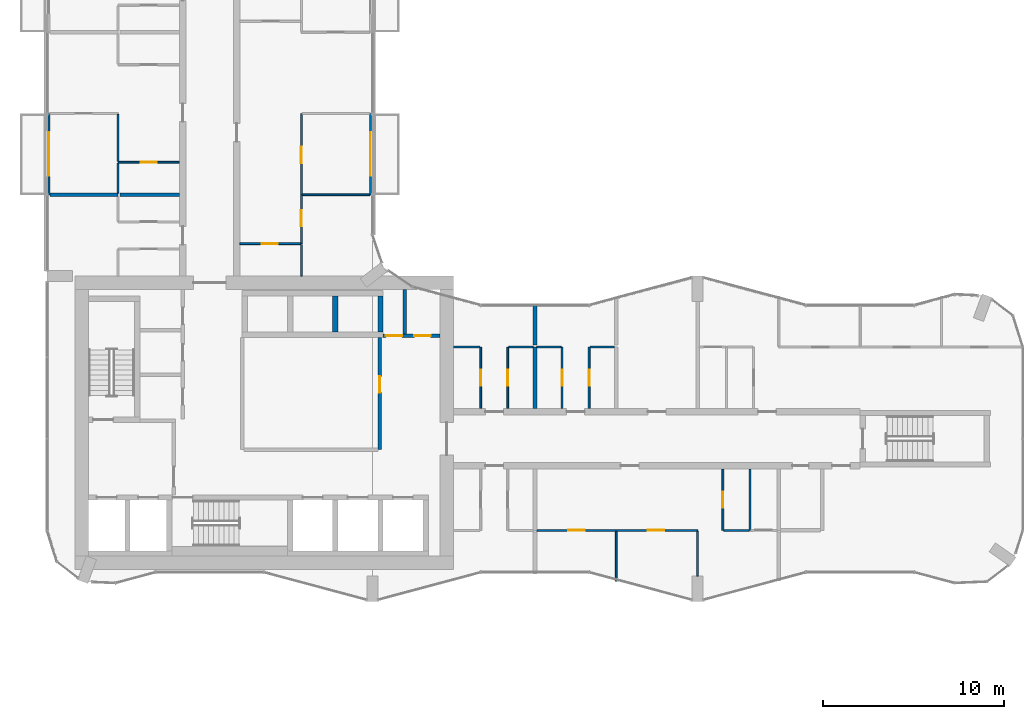
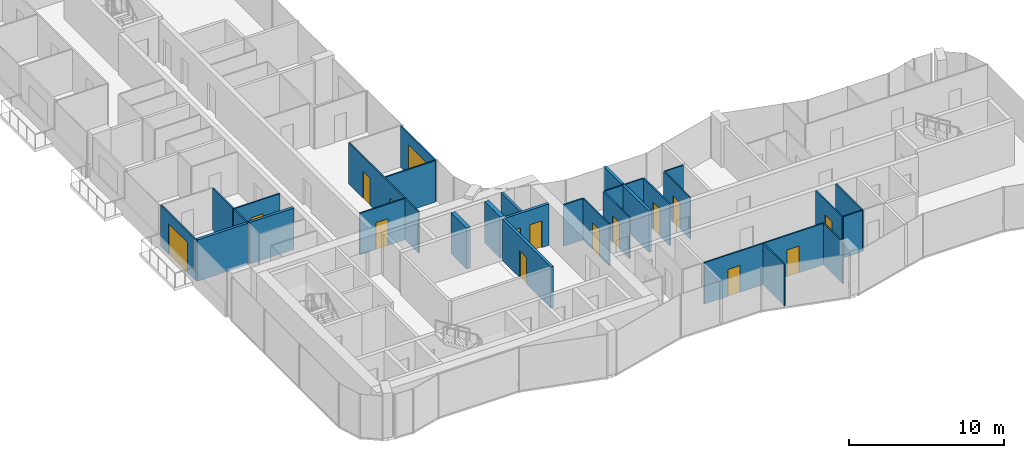
# One storey, part 14 of 23: 32 walls, 16 doors, 16 openings.
"""IFC4 building model written with IfcOpenShell, lengths in metres."""

from ifc_helpers import new_model, si_unit, direction, frame, frame_2d, origin, place, context, subcontext, project, spatial, rectangle, extrude, material, layer, layer_set, type_object, element, fill, save


model = new_model("IFC4")

# Units and contexts
model_context = context("Model", 3, precision=1e-05, world=origin(), true_north=direction((0.0, 1.0)))
body_context = subcontext(model_context, "Body", "Model", "MODEL_VIEW")
ifc_project = project(units=[si_unit("LENGTHUNIT", "METRE"), si_unit("AREAUNIT", "SQUARE_METRE"), si_unit("VOLUMEUNIT", "CUBIC_METRE"), si_unit("PLANEANGLEUNIT", "RADIAN"), si_unit("MASSUNIT", "GRAM", prefix="KILO")], contexts=[model_context])

# Site, building, storey
site_placement = place(None, origin())
site = spatial("IfcSite", under=ifc_project, at=site_placement, CompositionType="ELEMENT")
building_placement = place(site_placement, origin())
building = spatial("IfcBuilding", under=site, at=building_placement, Name="Plateau Cross Towers", CompositionType="ELEMENT")
storey_placement = place(building_placement, frame((0.0, 0.0, 37.300048828125)))
storey = spatial("IfcBuildingStorey", under=building, at=storey_placement, Name="L08", CompositionType="ELEMENT", Elevation=37.300048828125)

# Wall, opening, door
ifc_material_1 = material(Name="Aluminium framed glazing", Category="aluminium")
ifc_layer_1 = layer(ifc_material_1, 0.10009765625)
ifc_layer_set_1 = layer_set([ifc_layer_1], Name="Aluminium framed glazing")
wall_type_1 = type_object("IfcWallType", Name="Balcony screen wall 100", PredefinedType="STANDARD", material=ifc_layer_set_1)
wall_1_placement = place(storey_placement, frame((0.10009765625, 22.5, 0.0), z_axis=(0.0, 0.0, 1.0), x_axis=(0.0, 1.0, 0.0)))
wall_1 = element("IfcWall", 1, at=wall_1_placement, inside=storey, type_object=wall_type_1, Name="Balcony screen wall A-BAL-L08-01", PredefinedType="STANDARD", context=body_context, shape_type="SweptSolid", body=[
    extrude(rectangle(XDim=4.5, YDim=0.10009765625, at=frame_2d((2.25, 0.0))), origin(), (0.0, 0.0, 1.0), 3.25),
])
opening_1_placement = place(wall_1_placement, frame((1.050048828125, 0.0, 0.0)))
opening_1 = element("IfcOpeningElement", 2, at=opening_1_placement, cuts=wall_1, Name="Opening D-B24", PredefinedType="OPENING", context=body_context, shape_type="SweptSolid", body=[
    extrude(rectangle(XDim=2.39990234375, YDim=2.39990234375, at=frame_2d((1.199951171875, 1.199951171875))), frame((0.0, 0.06005859375, 0.0), z_axis=(0.0, -1.0, 0.0), x_axis=(1.0, 0.0, 0.0)), (0.0, 0.0, 1.0), 0.1201171875),
])
ifc_material_2 = material(Name="Aluminium frame, double glazing", Category="aluminium")
door_type_1 = type_object("IfcDoorType", Name="Balcony sliding door 2400", OperationType="NOTDEFINED", PredefinedType="DOOR", material=ifc_material_2)
door_1_placement = place(opening_1_placement, origin())
door_1 = element("IfcDoor", 3, at=door_1_placement, inside=storey, type_object=door_type_1, Name="Balcony door A-BAL-L08-01", OperationType="SINGLE_SWING_LEFT", OverallHeight=2.39990234375, OverallWidth=2.39990234375, PredefinedType="DOOR", context=body_context, shape_type="SweptSolid", body=[
    extrude(rectangle(XDim=2.39990234375, YDim=2.39990234375, at=frame_2d((1.199951171875, 1.199951171875))), frame((0.0, 0.02490234375, 0.0), z_axis=(0.0, -1.0, 0.0), x_axis=(1.0, 0.0, 0.0)), (0.0, 0.0, 1.0), 0.050048828125),
])
fill(opening_1, door_1)

wall_2_placement = place(storey_placement, frame((17.89990234375, 27.0, 0.0), z_axis=(0.0, 0.0, 1.0), x_axis=(0.0, -1.0, 0.0)))
wall_2 = element("IfcWall", 4, at=wall_2_placement, inside=storey, type_object=wall_type_1, Name="Balcony screen wall A-BAL-L08-04", PredefinedType="STANDARD", context=body_context, shape_type="SweptSolid", body=[
    extrude(rectangle(XDim=4.5, YDim=0.10009765625, at=frame_2d((2.25, 0.0))), origin(), (0.0, 0.0, 1.0), 3.25),
])
opening_2_placement = place(wall_2_placement, frame((1.050048828125, 0.0, 0.0)))
opening_2 = element("IfcOpeningElement", 5, at=opening_2_placement, cuts=wall_2, Name="Opening D-B24", PredefinedType="OPENING", context=body_context, shape_type="SweptSolid", body=[
    extrude(rectangle(XDim=2.39990234375, YDim=2.39990234375, at=frame_2d((1.199951171875, 1.199951171875))), frame((0.0, 0.06005859375, 0.0), z_axis=(0.0, -1.0, 0.0), x_axis=(1.0, 0.0, 0.0)), (0.0, 0.0, 1.0), 0.1201171875),
])
door_2_placement = place(opening_2_placement, origin())
door_2 = element("IfcDoor", 6, at=door_2_placement, inside=storey, type_object=door_type_1, Name="Balcony door A-BAL-L08-04", OperationType="SINGLE_SWING_LEFT", OverallHeight=2.39990234375, OverallWidth=2.39990234375, PredefinedType="DOOR", context=body_context, shape_type="SweptSolid", body=[
    extrude(rectangle(XDim=2.39990234375, YDim=2.39990234375, at=frame_2d((1.199951171875, 1.199951171875))), frame((0.0, 0.02490234375, 0.0), z_axis=(0.0, -1.0, 0.0), x_axis=(1.0, 0.0, 0.0)), (0.0, 0.0, 1.0), 0.050048828125),
])
fill(opening_2, door_2)

ifc_material_3 = material(Name="Concrete block, plastered both sides", Category="concrete")
ifc_layer_2 = layer(ifc_material_3, 0.199951171875)
ifc_layer_set_2 = layer_set([ifc_layer_2], Name="Concrete block, plastered both sides")
wall_type_2 = type_object("IfcWallType", Name="Core partition 200", PredefinedType="PARTITIONING", material=ifc_layer_set_2)
wall_3_placement = place(storey_placement, frame((18.39990234375, 8.39990234375, 0.0), z_axis=(0.0, 0.0, 1.0), x_axis=(0.0, 1.0, 0.0)))
wall_3 = element("IfcWall", 7, at=wall_3_placement, inside=storey, type_object=wall_type_2, Name="Core partition", PredefinedType="PARTITIONING", context=body_context, shape_type="SweptSolid", body=[
    extrude(rectangle(XDim=6.2001953125, YDim=0.199951171875, at=frame_2d((3.10009765625, 0.0))), origin(), (0.0, 0.0, 1.0), 3.25),
])
opening_3_placement = place(wall_3_placement, frame((3.14990234375, 0.0, 0.0)))
opening_3 = element("IfcOpeningElement", 8, at=opening_3_placement, cuts=wall_3, Name="Opening RD1", PredefinedType="OPENING", context=body_context, shape_type="SweptSolid", body=[
    extrude(rectangle(XDim=0.89990234375, YDim=2.10009765625, at=frame_2d((0.449951171875, 1.050048828125))), frame((0.0, 0.10986328125, 0.0), z_axis=(0.0, -1.0, 0.0), x_axis=(1.0, 0.0, 0.0)), (0.0, 0.0, 1.0), 0.219970703125),
])
ifc_material_4 = material(Name="Timber, fire-resisting leaf", Category="wood")
door_type_2 = type_object("IfcDoorType", Name="Core service door 900", OperationType="NOTDEFINED", PredefinedType="DOOR", material=ifc_material_4)
door_3_placement = place(opening_3_placement, origin())
door_3 = element("IfcDoor", 9, at=door_3_placement, inside=storey, type_object=door_type_2, Name="Core service door RD1", OperationType="SINGLE_SWING_LEFT", OverallHeight=2.10009765625, OverallWidth=0.89990234375, PredefinedType="DOOR", context=body_context, shape_type="SweptSolid", body=[
    extrude(rectangle(XDim=0.89990234375, YDim=2.10009765625, at=frame_2d((0.449951171875, 1.050048828125))), frame((0.0, 0.02490234375, 0.0), z_axis=(0.0, -1.0, 0.0), x_axis=(1.0, 0.0, 0.0)), (0.0, 0.0, 1.0), 0.050048828125),
])
fill(opening_3, door_3)

# Wall, openings, doors
wall_4_placement = place(storey_placement, frame((18.60009765625, 14.699951171875, 0.0), z_axis=(0.0, 0.0, 1.0), x_axis=(1.0, 0.0, 0.0)))
wall_4 = element("IfcWall", 10, at=wall_4_placement, inside=storey, type_object=wall_type_2, Name="Core partition", PredefinedType="PARTITIONING", context=body_context, shape_type="SweptSolid", body=[
    extrude(rectangle(XDim=3.14990234375, YDim=0.199951171875, at=frame_2d((1.574951171875, 0.0))), origin(), (0.0, 0.0, 1.0), 3.25),
])
opening_4_placement = place(wall_4_placement, frame((0.14990234375, 0.0, 0.0)))
opening_4 = element("IfcOpeningElement", 11, at=opening_4_placement, cuts=wall_4, Name="Opening RD2", PredefinedType="OPENING", context=body_context, shape_type="SweptSolid", body=[
    extrude(rectangle(XDim=0.89990234375, YDim=2.10009765625, at=frame_2d((0.449951171875, 1.050048828125))), frame((0.0, 0.10986328125, 0.0), z_axis=(0.0, -1.0, 0.0), x_axis=(1.0, 0.0, 0.0)), (0.0, 0.0, 1.0), 0.219970703125),
])
opening_5_placement = place(wall_4_placement, frame((1.72509765625, 0.0, 0.0)))
opening_5 = element("IfcOpeningElement", 12, at=opening_5_placement, cuts=wall_4, Name="Opening RD2", PredefinedType="OPENING", context=body_context, shape_type="SweptSolid", body=[
    extrude(rectangle(XDim=0.89990234375, YDim=2.10009765625, at=frame_2d((0.449951171875, 1.050048828125))), frame((0.0, 0.10986328125, 0.0), z_axis=(0.0, -1.0, 0.0), x_axis=(1.0, 0.0, 0.0)), (0.0, 0.0, 1.0), 0.219970703125),
])
ifc_material_5 = material(Name="Steel, fire-resisting leaf", Category="steel")
door_type_3 = type_object("IfcDoorType", Name="Core riser door 900", OperationType="NOTDEFINED", PredefinedType="DOOR", material=ifc_material_5)
door_4_placement = place(opening_4_placement, origin())
door_4 = element("IfcDoor", 13, at=door_4_placement, inside=storey, type_object=door_type_3, Name="Core riser door RD2", OperationType="SINGLE_SWING_LEFT", OverallHeight=2.10009765625, OverallWidth=0.89990234375, PredefinedType="DOOR", context=body_context, shape_type="SweptSolid", body=[
    extrude(rectangle(XDim=0.89990234375, YDim=2.10009765625, at=frame_2d((0.449951171875, 1.050048828125))), frame((0.0, 0.02490234375, 0.0), z_axis=(0.0, -1.0, 0.0), x_axis=(1.0, 0.0, 0.0)), (0.0, 0.0, 1.0), 0.050048828125),
])
fill(opening_4, door_4)
door_5_placement = place(opening_5_placement, origin())
door_5 = element("IfcDoor", 14, at=door_5_placement, inside=storey, type_object=door_type_3, Name="Core riser door RD2", OperationType="SINGLE_SWING_LEFT", OverallHeight=2.10009765625, OverallWidth=0.89990234375, PredefinedType="DOOR", context=body_context, shape_type="SweptSolid", body=[
    extrude(rectangle(XDim=0.89990234375, YDim=2.10009765625, at=frame_2d((0.449951171875, 1.050048828125))), frame((0.0, 0.02490234375, 0.0), z_axis=(0.0, -1.0, 0.0), x_axis=(1.0, 0.0, 0.0)), (0.0, 0.0, 1.0), 0.050048828125),
])
fill(opening_5, door_5)

# Walls
wall_5_placement = place(storey_placement, frame((19.800048828125, 14.800048828125, 0.0), z_axis=(0.0, 0.0, 1.0), x_axis=(0.0, 1.0, 0.0)))
element("IfcWall", 15, at=wall_5_placement, inside=storey, type_object=wall_type_2, Name="Core partition", PredefinedType="PARTITIONING", context=body_context, shape_type="SweptSolid", body=[
    extrude(rectangle(XDim=2.449951171875, YDim=0.199951171875, at=frame_2d((1.22509765625, 0.0))), origin(), (0.0, 0.0, 1.0), 3.25),
])
ifc_material_6 = material(Name="Concrete C60/75", Category="concrete")
ifc_layer_3 = layer(ifc_material_6, 0.300048828125)
ifc_layer_set_3 = layer_set([ifc_layer_3], Name="Concrete C60/75")
wall_type_3 = type_object("IfcWallType", Name="Core shaft wall 300", PredefinedType="SHEAR", material=ifc_layer_set_3)
for number, where, z_axis, x_axis, name in (
    (16, (15.949951171875, 14.89990234375, 0.0), (0.0, 0.0, 1.0), (0.0, 1.0, 0.0), "A-nb-v3@L08"),
    (17, (18.449951171875, 14.89990234375, 0.0), (0.0, 0.0, 1.0), (0.0, 1.0, 0.0), "A-nb-v4@L08"),
):
    element("IfcWall", number, at=place(storey_placement, frame(where, z_axis=z_axis, x_axis=x_axis)), inside=storey, type_object=wall_type_3, Name=name, PredefinedType="SHEAR", context=body_context, shape_type="SweptSolid", body=[
        extrude(rectangle(XDim=2.0, YDim=0.300048828125, at=frame_2d((1.0, 0.0))), origin(), (0.0, 0.0, 1.0), 3.25),
    ])

# Wall, openings, doors
ifc_material_7 = material(Name="Gypsum board on steel studs", Category="steel")
ifc_layer_4 = layer(ifc_material_7, 0.10009765625)
ifc_layer_set_4 = layer_set([ifc_layer_4], Name="Gypsum board on steel studs")
wall_type_4 = type_object("IfcWallType", Name="Flat partition 100", PredefinedType="PARTITIONING", material=ifc_layer_set_4)
wall_6_placement = place(storey_placement, frame((36.0, 3.925048828125, 0.0), z_axis=(0.0, 0.0, 1.0), x_axis=(-1.0, 0.0, 0.0)))
wall_6 = element("IfcWall", 18, at=wall_6_placement, inside=storey, type_object=wall_type_4, Name="Partition wall", PredefinedType="PARTITIONING", context=body_context, shape_type="SweptSolid", body=[
    extrude(rectangle(XDim=8.89990234375, YDim=0.10009765625, at=frame_2d((4.449951171875, 0.0))), origin(), (0.0, 0.0, 1.0), 3.25),
])
opening_6_placement = place(wall_6_placement, frame((6.25, 0.0, 0.0)))
opening_6 = element("IfcOpeningElement", 19, at=opening_6_placement, cuts=wall_6, Name="Opening 08-21", PredefinedType="OPENING", context=body_context, shape_type="SweptSolid", body=[
    extrude(rectangle(XDim=0.89990234375, YDim=2.10009765625, at=frame_2d((0.449951171875, 1.050048828125))), frame((0.0, 0.06005859375, 0.0), z_axis=(0.0, -1.0, 0.0), x_axis=(1.0, 0.0, 0.0)), (0.0, 0.0, 1.0), 0.1201171875),
])
opening_7_placement = place(wall_6_placement, frame((1.85009765625, 0.0, 0.0)))
opening_7 = element("IfcOpeningElement", 20, at=opening_7_placement, cuts=wall_6, Name="Opening 08-22", PredefinedType="OPENING", context=body_context, shape_type="SweptSolid", body=[
    extrude(rectangle(XDim=0.89990234375, YDim=2.10009765625, at=frame_2d((0.449951171875, 1.050048828125))), frame((0.0, 0.06005859375, 0.0), z_axis=(0.0, -1.0, 0.0), x_axis=(1.0, 0.0, 0.0)), (0.0, 0.0, 1.0), 0.1201171875),
])
ifc_material_8 = material(Name="Timber leaf", Category="wood")
door_type_4 = type_object("IfcDoorType", Name="Flat room door 900", OperationType="NOTDEFINED", PredefinedType="DOOR", material=ifc_material_8)
door_6_placement = place(opening_6_placement, origin())
door_6 = element("IfcDoor", 21, at=door_6_placement, inside=storey, type_object=door_type_4, Name="Door 08-21", OperationType="SINGLE_SWING_RIGHT", OverallHeight=2.10009765625, OverallWidth=0.89990234375, PredefinedType="DOOR", context=body_context, shape_type="SweptSolid", body=[
    extrude(rectangle(XDim=0.89990234375, YDim=2.10009765625, at=frame_2d((0.449951171875, 1.050048828125))), frame((0.0, 0.02490234375, 0.0), z_axis=(0.0, -1.0, 0.0), x_axis=(1.0, 0.0, 0.0)), (0.0, 0.0, 1.0), 0.050048828125),
])
fill(opening_6, door_6)
door_7_placement = place(opening_7_placement, origin())
door_7 = element("IfcDoor", 22, at=door_7_placement, inside=storey, type_object=door_type_4, Name="Door 08-22", OperationType="SINGLE_SWING_LEFT", OverallHeight=2.10009765625, OverallWidth=0.89990234375, PredefinedType="DOOR", context=body_context, shape_type="SweptSolid", body=[
    extrude(rectangle(XDim=0.89990234375, YDim=2.10009765625, at=frame_2d((0.449951171875, 1.050048828125))), frame((0.0, 0.02490234375, 0.0), z_axis=(0.0, -1.0, 0.0), x_axis=(1.0, 0.0, 0.0)), (0.0, 0.0, 1.0), 0.050048828125),
])
fill(opening_7, door_7)

# Walls
wall_7_placement = place(storey_placement, frame((37.449951171875, 3.925048828125, 0.0), z_axis=(0.0, 0.0, 1.0), x_axis=(1.0, 0.0, 0.0)))
element("IfcWall", 23, at=wall_7_placement, inside=storey, type_object=wall_type_4, Name="Partition wall", PredefinedType="PARTITIONING", context=body_context, shape_type="SweptSolid", body=[
    extrude(rectangle(XDim=1.400146484375, YDim=0.10009765625, at=frame_2d((0.7001953125, 0.0))), origin(), (0.0, 0.0, 1.0), 3.25),
])
wall_8_placement = place(storey_placement, frame((23.949951171875, 14.074951171875, 0.0), z_axis=(0.0, 0.0, 1.0), x_axis=(-1.0, 0.0, 0.0)))
element("IfcWall", 24, at=wall_8_placement, inside=storey, type_object=wall_type_4, Name="Partition wall", PredefinedType="PARTITIONING", context=body_context, shape_type="SweptSolid", body=[
    extrude(rectangle(XDim=1.449951171875, YDim=0.10009765625, at=frame_2d((0.72509765625, 0.0))), origin(), (0.0, 0.0, 1.0), 3.25),
])
for number, where, z_axis, x_axis, name in (
    (25, (26.89990234375, 14.074951171875, 0.0), (0.0, 0.0, 1.0), (-1.0, 0.0, 0.0), "Partition wall"),
    (26, (28.449951171875, 14.074951171875, 0.0), (0.0, 0.0, 1.0), (-1.0, 0.0, 0.0), "Partition wall"),
    (27, (31.39990234375, 14.074951171875, 0.0), (0.0, 0.0, 1.0), (-1.0, 0.0, 0.0), "Partition wall"),
):
    element("IfcWall", number, at=place(storey_placement, frame(where, z_axis=z_axis, x_axis=x_axis)), inside=storey, type_object=wall_type_4, Name=name, PredefinedType="PARTITIONING", context=body_context, shape_type="SweptSolid", body=[
        extrude(rectangle(XDim=1.349853515625, YDim=0.10009765625, at=frame_2d((0.6748046875, 0.0))), origin(), (0.0, 0.0, 1.0), 3.25),
    ])

# Wall, opening, door
wall_9_placement = place(storey_placement, frame((14.02490234375, 19.800048828125, 0.0), z_axis=(0.0, 0.0, 1.0), x_axis=(-1.0, 0.0, 0.0)))
wall_9 = element("IfcWall", 28, at=wall_9_placement, inside=storey, type_object=wall_type_4, Name="Partition wall", PredefinedType="PARTITIONING", context=body_context, shape_type="SweptSolid", body=[
    extrude(rectangle(XDim=3.349853515625, YDim=0.10009765625, at=frame_2d((1.6748046875, 0.0))), origin(), (0.0, 0.0, 1.0), 3.25),
])
opening_8_placement = place(wall_9_placement, frame((1.25, 0.0, 0.0)))
opening_8 = element("IfcOpeningElement", 29, at=opening_8_placement, cuts=wall_9, Name="Opening 08-44", PredefinedType="OPENING", context=body_context, shape_type="SweptSolid", body=[
    extrude(rectangle(XDim=0.89990234375, YDim=2.10009765625, at=frame_2d((0.449951171875, 1.050048828125))), frame((0.0, 0.06005859375, 0.0), z_axis=(0.0, -1.0, 0.0), x_axis=(1.0, 0.0, 0.0)), (0.0, 0.0, 1.0), 0.1201171875),
])
door_8_placement = place(opening_8_placement, origin())
door_8 = element("IfcDoor", 30, at=door_8_placement, inside=storey, type_object=door_type_4, Name="Door 08-44", OperationType="SINGLE_SWING_RIGHT", OverallHeight=2.10009765625, OverallWidth=0.89990234375, PredefinedType="DOOR", context=body_context, shape_type="SweptSolid", body=[
    extrude(rectangle(XDim=0.89990234375, YDim=2.10009765625, at=frame_2d((0.449951171875, 1.050048828125))), frame((0.0, 0.02490234375, 0.0), z_axis=(0.0, -1.0, 0.0), x_axis=(1.0, 0.0, 0.0)), (0.0, 0.0, 1.0), 0.050048828125),
])
fill(opening_8, door_8)

# Wall
wall_10_placement = place(storey_placement, frame((17.85009765625, 22.5, 0.0), z_axis=(0.0, 0.0, 1.0), x_axis=(-1.0, 0.0, 0.0)))
element("IfcWall", 31, at=wall_10_placement, inside=storey, type_object=wall_type_4, Name="Partition wall", PredefinedType="PARTITIONING", context=body_context, shape_type="SweptSolid", body=[
    extrude(rectangle(XDim=3.72509765625, YDim=0.10009765625, at=frame_2d((1.862548828125, 0.0))), origin(), (0.0, 0.0, 1.0), 3.25),
])

# Wall, opening, door
wall_11_placement = place(storey_placement, frame((7.324951171875, 24.300048828125, 0.0), z_axis=(0.0, 0.0, 1.0), x_axis=(-1.0, 0.0, 0.0)))
wall_11 = element("IfcWall", 32, at=wall_11_placement, inside=storey, type_object=wall_type_4, Name="Partition wall", PredefinedType="PARTITIONING", context=body_context, shape_type="SweptSolid", body=[
    extrude(rectangle(XDim=3.39990234375, YDim=0.10009765625, at=frame_2d((1.699951171875, 0.0))), origin(), (0.0, 0.0, 1.0), 3.25),
])
opening_9_placement = place(wall_11_placement, frame((1.25, 0.0, 0.0)))
opening_9 = element("IfcOpeningElement", 33, at=opening_9_placement, cuts=wall_11, Name="Opening 08-34", PredefinedType="OPENING", context=body_context, shape_type="SweptSolid", body=[
    extrude(rectangle(XDim=0.89990234375, YDim=2.10009765625, at=frame_2d((0.449951171875, 1.050048828125))), frame((0.0, 0.06005859375, 0.0), z_axis=(0.0, -1.0, 0.0), x_axis=(1.0, 0.0, 0.0)), (0.0, 0.0, 1.0), 0.1201171875),
])
door_9_placement = place(opening_9_placement, origin())
door_9 = element("IfcDoor", 34, at=door_9_placement, inside=storey, type_object=door_type_4, Name="Door 08-34", OperationType="SINGLE_SWING_LEFT", OverallHeight=2.10009765625, OverallWidth=0.89990234375, PredefinedType="DOOR", context=body_context, shape_type="SweptSolid", body=[
    extrude(rectangle(XDim=0.89990234375, YDim=2.10009765625, at=frame_2d((0.449951171875, 1.050048828125))), frame((0.0, 0.02490234375, 0.0), z_axis=(0.0, -1.0, 0.0), x_axis=(1.0, 0.0, 0.0)), (0.0, 0.0, 1.0), 0.050048828125),
])
fill(opening_9, door_9)

# Walls
wall_12_placement = place(storey_placement, frame((3.925048828125, 24.25, 0.0), z_axis=(0.0, 0.0, 1.0), x_axis=(0.0, -1.0, 0.0)))
element("IfcWall", 35, at=wall_12_placement, inside=storey, type_object=wall_type_4, Name="Partition wall", PredefinedType="PARTITIONING", context=body_context, shape_type="SweptSolid", body=[
    extrude(rectangle(XDim=1.64990234375, YDim=0.10009765625, at=frame_2d((0.824951171875, 0.0))), origin(), (0.0, 0.0, 1.0), 3.25),
])
wall_13_placement = place(storey_placement, frame((3.925048828125, 24.35009765625, 0.0), z_axis=(0.0, 0.0, 1.0), x_axis=(0.0, 1.0, 0.0)))
element("IfcWall", 36, at=wall_13_placement, inside=storey, type_object=wall_type_4, Name="Partition wall", PredefinedType="PARTITIONING", context=body_context, shape_type="SweptSolid", body=[
    extrude(rectangle(XDim=2.599853515625, YDim=0.10009765625, at=frame_2d((1.2998046875, 0.0))), origin(), (0.0, 0.0, 1.0), 3.25),
])

# Wall, openings, doors
wall_14_placement = place(storey_placement, frame((14.074951171875, 27.0, 0.0), z_axis=(0.0, 0.0, 1.0), x_axis=(0.0, -1.0, 0.0)))
wall_14 = element("IfcWall", 37, at=wall_14_placement, inside=storey, type_object=wall_type_4, Name="Partition wall", PredefinedType="PARTITIONING", context=body_context, shape_type="SweptSolid", body=[
    extrude(rectangle(XDim=7.199951171875, YDim=0.10009765625, at=frame_2d((3.60009765625, 0.0))), origin(), (0.0, 0.0, 1.0), 3.25),
])
opening_10_placement = place(wall_14_placement, frame((5.35009765625, 0.0, 0.0)))
opening_10 = element("IfcOpeningElement", 38, at=opening_10_placement, cuts=wall_14, Name="Opening 08-46", PredefinedType="OPENING", context=body_context, shape_type="SweptSolid", body=[
    extrude(rectangle(XDim=0.89990234375, YDim=2.10009765625, at=frame_2d((0.449951171875, 1.050048828125))), frame((0.0, 0.06005859375, 0.0), z_axis=(0.0, -1.0, 0.0), x_axis=(1.0, 0.0, 0.0)), (0.0, 0.0, 1.0), 0.1201171875),
])
opening_11_placement = place(wall_14_placement, frame((1.85009765625, 0.0, 0.0)))
opening_11 = element("IfcOpeningElement", 39, at=opening_11_placement, cuts=wall_14, Name="Opening 08-47", PredefinedType="OPENING", context=body_context, shape_type="SweptSolid", body=[
    extrude(rectangle(XDim=0.89990234375, YDim=2.10009765625, at=frame_2d((0.449951171875, 1.050048828125))), frame((0.0, 0.06005859375, 0.0), z_axis=(0.0, -1.0, 0.0), x_axis=(1.0, 0.0, 0.0)), (0.0, 0.0, 1.0), 0.1201171875),
])
door_10_placement = place(opening_10_placement, origin())
door_10 = element("IfcDoor", 40, at=door_10_placement, inside=storey, type_object=door_type_4, Name="Door 08-46", OperationType="SINGLE_SWING_RIGHT", OverallHeight=2.10009765625, OverallWidth=0.89990234375, PredefinedType="DOOR", context=body_context, shape_type="SweptSolid", body=[
    extrude(rectangle(XDim=0.89990234375, YDim=2.10009765625, at=frame_2d((0.449951171875, 1.050048828125))), frame((0.0, 0.02490234375, 0.0), z_axis=(0.0, -1.0, 0.0), x_axis=(1.0, 0.0, 0.0)), (0.0, 0.0, 1.0), 0.050048828125),
])
fill(opening_10, door_10)
door_11_placement = place(opening_11_placement, origin())
door_11 = element("IfcDoor", 41, at=door_11_placement, inside=storey, type_object=door_type_4, Name="Door 08-47", OperationType="SINGLE_SWING_LEFT", OverallHeight=2.10009765625, OverallWidth=0.89990234375, PredefinedType="DOOR", context=body_context, shape_type="SweptSolid", body=[
    extrude(rectangle(XDim=0.89990234375, YDim=2.10009765625, at=frame_2d((0.449951171875, 1.050048828125))), frame((0.0, 0.02490234375, 0.0), z_axis=(0.0, -1.0, 0.0), x_axis=(1.0, 0.0, 0.0)), (0.0, 0.0, 1.0), 0.050048828125),
])
fill(opening_11, door_11)

# Wall
wall_15_placement = place(storey_placement, frame((14.074951171875, 18.0, 0.0), z_axis=(0.0, 0.0, 1.0), x_axis=(0.0, 1.0, 0.0)))
element("IfcWall", 42, at=wall_15_placement, inside=storey, type_object=wall_type_4, Name="Partition wall", PredefinedType="PARTITIONING", context=body_context, shape_type="SweptSolid", body=[
    extrude(rectangle(XDim=1.75, YDim=0.10009765625, at=frame_2d((0.875, 0.0))), origin(), (0.0, 0.0, 1.0), 3.25),
])

# Wall, opening, door
wall_16_placement = place(storey_placement, frame((24.0, 10.675048828125, 0.0), z_axis=(0.0, 0.0, 1.0), x_axis=(0.0, 1.0, 0.0)))
wall_16 = element("IfcWall", 43, at=wall_16_placement, inside=storey, type_object=wall_type_4, Name="Partition wall", PredefinedType="PARTITIONING", context=body_context, shape_type="SweptSolid", body=[
    extrude(rectangle(XDim=3.39990234375, YDim=0.10009765625, at=frame_2d((1.699951171875, 0.0))), origin(), (0.0, 0.0, 1.0), 3.25),
])
opening_12_placement = place(wall_16_placement, frame((1.25, 0.0, 0.0)))
opening_12 = element("IfcOpeningElement", 44, at=opening_12_placement, cuts=wall_16, Name="Opening 08-23", PredefinedType="OPENING", context=body_context, shape_type="SweptSolid", body=[
    extrude(rectangle(XDim=0.89990234375, YDim=2.10009765625, at=frame_2d((0.449951171875, 1.050048828125))), frame((0.0, 0.06005859375, 0.0), z_axis=(0.0, -1.0, 0.0), x_axis=(1.0, 0.0, 0.0)), (0.0, 0.0, 1.0), 0.1201171875),
])
door_12_placement = place(opening_12_placement, origin())
door_12 = element("IfcDoor", 45, at=door_12_placement, inside=storey, type_object=door_type_4, Name="Door 08-23", OperationType="SINGLE_SWING_RIGHT", OverallHeight=2.10009765625, OverallWidth=0.89990234375, PredefinedType="DOOR", context=body_context, shape_type="SweptSolid", body=[
    extrude(rectangle(XDim=0.89990234375, YDim=2.10009765625, at=frame_2d((0.449951171875, 1.050048828125))), frame((0.0, 0.02490234375, 0.0), z_axis=(0.0, -1.0, 0.0), x_axis=(1.0, 0.0, 0.0)), (0.0, 0.0, 1.0), 0.050048828125),
])
fill(opening_12, door_12)

wall_17_placement = place(storey_placement, frame((25.5, 14.074951171875, 0.0), z_axis=(0.0, 0.0, 1.0), x_axis=(0.0, -1.0, 0.0)))
wall_17 = element("IfcWall", 46, at=wall_17_placement, inside=storey, type_object=wall_type_4, Name="Partition wall", PredefinedType="PARTITIONING", context=body_context, shape_type="SweptSolid", body=[
    extrude(rectangle(XDim=3.39990234375, YDim=0.10009765625, at=frame_2d((1.699951171875, 0.0))), origin(), (0.0, 0.0, 1.0), 3.25),
])
opening_13_placement = place(wall_17_placement, frame((1.25, 0.0, 0.0)))
opening_13 = element("IfcOpeningElement", 47, at=opening_13_placement, cuts=wall_17, Name="Opening 08-24", PredefinedType="OPENING", context=body_context, shape_type="SweptSolid", body=[
    extrude(rectangle(XDim=0.89990234375, YDim=2.10009765625, at=frame_2d((0.449951171875, 1.050048828125))), frame((0.0, 0.06005859375, 0.0), z_axis=(0.0, -1.0, 0.0), x_axis=(1.0, 0.0, 0.0)), (0.0, 0.0, 1.0), 0.1201171875),
])
door_13_placement = place(opening_13_placement, origin())
door_13 = element("IfcDoor", 48, at=door_13_placement, inside=storey, type_object=door_type_4, Name="Door 08-24", OperationType="SINGLE_SWING_RIGHT", OverallHeight=2.10009765625, OverallWidth=0.89990234375, PredefinedType="DOOR", context=body_context, shape_type="SweptSolid", body=[
    extrude(rectangle(XDim=0.89990234375, YDim=2.10009765625, at=frame_2d((0.449951171875, 1.050048828125))), frame((0.0, 0.02490234375, 0.0), z_axis=(0.0, -1.0, 0.0), x_axis=(1.0, 0.0, 0.0)), (0.0, 0.0, 1.0), 0.050048828125),
])
fill(opening_13, door_13)

wall_18_placement = place(storey_placement, frame((28.5, 10.675048828125, 0.0), z_axis=(0.0, 0.0, 1.0), x_axis=(0.0, 1.0, 0.0)))
wall_18 = element("IfcWall", 49, at=wall_18_placement, inside=storey, type_object=wall_type_4, Name="Partition wall", PredefinedType="PARTITIONING", context=body_context, shape_type="SweptSolid", body=[
    extrude(rectangle(XDim=3.39990234375, YDim=0.10009765625, at=frame_2d((1.699951171875, 0.0))), origin(), (0.0, 0.0, 1.0), 3.25),
])
opening_14_placement = place(wall_18_placement, frame((1.25, 0.0, 0.0)))
opening_14 = element("IfcOpeningElement", 50, at=opening_14_placement, cuts=wall_18, Name="Opening 08-25", PredefinedType="OPENING", context=body_context, shape_type="SweptSolid", body=[
    extrude(rectangle(XDim=0.89990234375, YDim=2.10009765625, at=frame_2d((0.449951171875, 1.050048828125))), frame((0.0, 0.06005859375, 0.0), z_axis=(0.0, -1.0, 0.0), x_axis=(1.0, 0.0, 0.0)), (0.0, 0.0, 1.0), 0.1201171875),
])
door_14_placement = place(opening_14_placement, origin())
door_14 = element("IfcDoor", 51, at=door_14_placement, inside=storey, type_object=door_type_4, Name="Door 08-25", OperationType="SINGLE_SWING_RIGHT", OverallHeight=2.10009765625, OverallWidth=0.89990234375, PredefinedType="DOOR", context=body_context, shape_type="SweptSolid", body=[
    extrude(rectangle(XDim=0.89990234375, YDim=2.10009765625, at=frame_2d((0.449951171875, 1.050048828125))), frame((0.0, 0.02490234375, 0.0), z_axis=(0.0, -1.0, 0.0), x_axis=(1.0, 0.0, 0.0)), (0.0, 0.0, 1.0), 0.050048828125),
])
fill(opening_14, door_14)

wall_19_placement = place(storey_placement, frame((30.0, 14.074951171875, 0.0), z_axis=(0.0, 0.0, 1.0), x_axis=(0.0, -1.0, 0.0)))
wall_19 = element("IfcWall", 52, at=wall_19_placement, inside=storey, type_object=wall_type_4, Name="Partition wall", PredefinedType="PARTITIONING", context=body_context, shape_type="SweptSolid", body=[
    extrude(rectangle(XDim=3.39990234375, YDim=0.10009765625, at=frame_2d((1.699951171875, 0.0))), origin(), (0.0, 0.0, 1.0), 3.25),
])
opening_15_placement = place(wall_19_placement, frame((1.25, 0.0, 0.0)))
opening_15 = element("IfcOpeningElement", 53, at=opening_15_placement, cuts=wall_19, Name="Opening 08-26", PredefinedType="OPENING", context=body_context, shape_type="SweptSolid", body=[
    extrude(rectangle(XDim=0.89990234375, YDim=2.10009765625, at=frame_2d((0.449951171875, 1.050048828125))), frame((0.0, 0.06005859375, 0.0), z_axis=(0.0, -1.0, 0.0), x_axis=(1.0, 0.0, 0.0)), (0.0, 0.0, 1.0), 0.1201171875),
])
door_15_placement = place(opening_15_placement, origin())
door_15 = element("IfcDoor", 54, at=door_15_placement, inside=storey, type_object=door_type_4, Name="Door 08-26", OperationType="SINGLE_SWING_RIGHT", OverallHeight=2.10009765625, OverallWidth=0.89990234375, PredefinedType="DOOR", context=body_context, shape_type="SweptSolid", body=[
    extrude(rectangle(XDim=0.89990234375, YDim=2.10009765625, at=frame_2d((0.449951171875, 1.050048828125))), frame((0.0, 0.02490234375, 0.0), z_axis=(0.0, -1.0, 0.0), x_axis=(1.0, 0.0, 0.0)), (0.0, 0.0, 1.0), 0.050048828125),
])
fill(opening_15, door_15)

# Walls
wall_20_placement = place(storey_placement, frame((31.5, 1.122314453125, 0.0), z_axis=(0.0, 0.0, 1.0), x_axis=(0.0, 1.0, 0.0)))
element("IfcWall", 55, at=wall_20_placement, inside=storey, type_object=wall_type_4, Name="Partition wall", PredefinedType="PARTITIONING", context=body_context, shape_type="SweptSolid", body=[
    extrude(rectangle(XDim=2.752685546875, YDim=0.10009765625, at=frame_2d((1.37646484375, 0.0))), origin(), (0.0, 0.0, 1.0), 3.25),
])
wall_21_placement = place(storey_placement, frame((36.0, 1.39990234375, 0.0), z_axis=(0.0, 0.0, 1.0), x_axis=(0.0, 1.0, 0.0)))
element("IfcWall", 56, at=wall_21_placement, inside=storey, type_object=wall_type_4, Name="Partition wall", PredefinedType="PARTITIONING", context=body_context, shape_type="SweptSolid", body=[
    extrude(rectangle(XDim=2.47509765625, YDim=0.10009765625, at=frame_2d((1.237548828125, 0.0))), origin(), (0.0, 0.0, 1.0), 3.25),
])

# Wall, opening, door
wall_22_placement = place(storey_placement, frame((37.39990234375, 7.324951171875, 0.0), z_axis=(0.0, 0.0, 1.0), x_axis=(0.0, -1.0, 0.0)))
wall_22 = element("IfcWall", 57, at=wall_22_placement, inside=storey, type_object=wall_type_4, Name="Partition wall", PredefinedType="PARTITIONING", context=body_context, shape_type="SweptSolid", body=[
    extrude(rectangle(XDim=3.39990234375, YDim=0.10009765625, at=frame_2d((1.699951171875, 0.0))), origin(), (0.0, 0.0, 1.0), 3.25),
])
opening_16_placement = place(wall_22_placement, frame((1.25, 0.0, 0.0)))
opening_16 = element("IfcOpeningElement", 58, at=opening_16_placement, cuts=wall_22, Name="Opening 08-19", PredefinedType="OPENING", context=body_context, shape_type="SweptSolid", body=[
    extrude(rectangle(XDim=0.89990234375, YDim=2.10009765625, at=frame_2d((0.449951171875, 1.050048828125))), frame((0.0, 0.06005859375, 0.0), z_axis=(0.0, -1.0, 0.0), x_axis=(1.0, 0.0, 0.0)), (0.0, 0.0, 1.0), 0.1201171875),
])
door_16_placement = place(opening_16_placement, origin())
door_16 = element("IfcDoor", 59, at=door_16_placement, inside=storey, type_object=door_type_4, Name="Door 08-19", OperationType="SINGLE_SWING_LEFT", OverallHeight=2.10009765625, OverallWidth=0.89990234375, PredefinedType="DOOR", context=body_context, shape_type="SweptSolid", body=[
    extrude(rectangle(XDim=0.89990234375, YDim=2.10009765625, at=frame_2d((0.449951171875, 1.050048828125))), frame((0.0, 0.02490234375, 0.0), z_axis=(0.0, -1.0, 0.0), x_axis=(1.0, 0.0, 0.0)), (0.0, 0.0, 1.0), 0.050048828125),
])
fill(opening_16, door_16)

# Walls
wall_23_placement = place(storey_placement, frame((38.89990234375, 3.925048828125, 0.0), z_axis=(0.0, 0.0, 1.0), x_axis=(0.0, 1.0, 0.0)))
element("IfcWall", 60, at=wall_23_placement, inside=storey, type_object=wall_type_4, Name="Partition wall", PredefinedType="PARTITIONING", context=body_context, shape_type="SweptSolid", body=[
    extrude(rectangle(XDim=3.39990234375, YDim=0.10009765625, at=frame_2d((1.699951171875, 0.0))), origin(), (0.0, 0.0, 1.0), 3.25),
])
ifc_material_9 = material(Name="Gypsum board on steel studs, two layers each side", Category="steel")
ifc_layer_5 = layer(ifc_material_9, 0.199951171875)
ifc_layer_set_5 = layer_set([ifc_layer_5], Name="Gypsum board on steel studs, two layers each side")
wall_type_5 = type_object("IfcWallType", Name="Flat party wall 200", PredefinedType="PARTITIONING", material=ifc_layer_set_5)
wall_24_placement = place(storey_placement, frame((7.324951171875, 22.5, 0.0), z_axis=(0.0, 0.0, 1.0), x_axis=(-1.0, 0.0, 0.0)))
element("IfcWall", 61, at=wall_24_placement, inside=storey, type_object=wall_type_5, Name="Party wall", PredefinedType="PARTITIONING", context=body_context, shape_type="SweptSolid", body=[
    extrude(rectangle(XDim=3.300048828125, YDim=0.199951171875, at=frame_2d((1.64990234375, 0.0))), origin(), (0.0, 0.0, 1.0), 3.25),
])
wall_25_placement = place(storey_placement, frame((0.14990234375, 22.5, 0.0), z_axis=(0.0, 0.0, 1.0), x_axis=(1.0, 0.0, 0.0)))
element("IfcWall", 62, at=wall_25_placement, inside=storey, type_object=wall_type_5, Name="Party wall", PredefinedType="PARTITIONING", context=body_context, shape_type="SweptSolid", body=[
    extrude(rectangle(XDim=3.775146484375, YDim=0.199951171875, at=frame_2d((1.8876953125, 0.0))), origin(), (0.0, 0.0, 1.0), 3.25),
])
wall_26_placement = place(storey_placement, frame((27.0, 16.47314453125, 0.0), z_axis=(0.0, 0.0, 1.0), x_axis=(0.0, -1.0, 0.0)))
element("IfcWall", 63, at=wall_26_placement, inside=storey, type_object=wall_type_5, Name="Party wall", PredefinedType="PARTITIONING", context=body_context, shape_type="SweptSolid", body=[
    extrude(rectangle(XDim=2.298095703125, YDim=0.199951171875, at=frame_2d((1.14892578125, 0.0))), origin(), (0.0, 0.0, 1.0), 3.25),
])
wall_27_placement = place(storey_placement, frame((27.0, 10.675048828125, 0.0), z_axis=(0.0, 0.0, 1.0), x_axis=(0.0, 1.0, 0.0)))
element("IfcWall", 64, at=wall_27_placement, inside=storey, type_object=wall_type_5, Name="Party wall", PredefinedType="PARTITIONING", context=body_context, shape_type="SweptSolid", body=[
    extrude(rectangle(XDim=3.39990234375, YDim=0.199951171875, at=frame_2d((1.699951171875, 0.0))), origin(), (0.0, 0.0, 1.0), 3.25),
])

save(model, "model.ifc")
